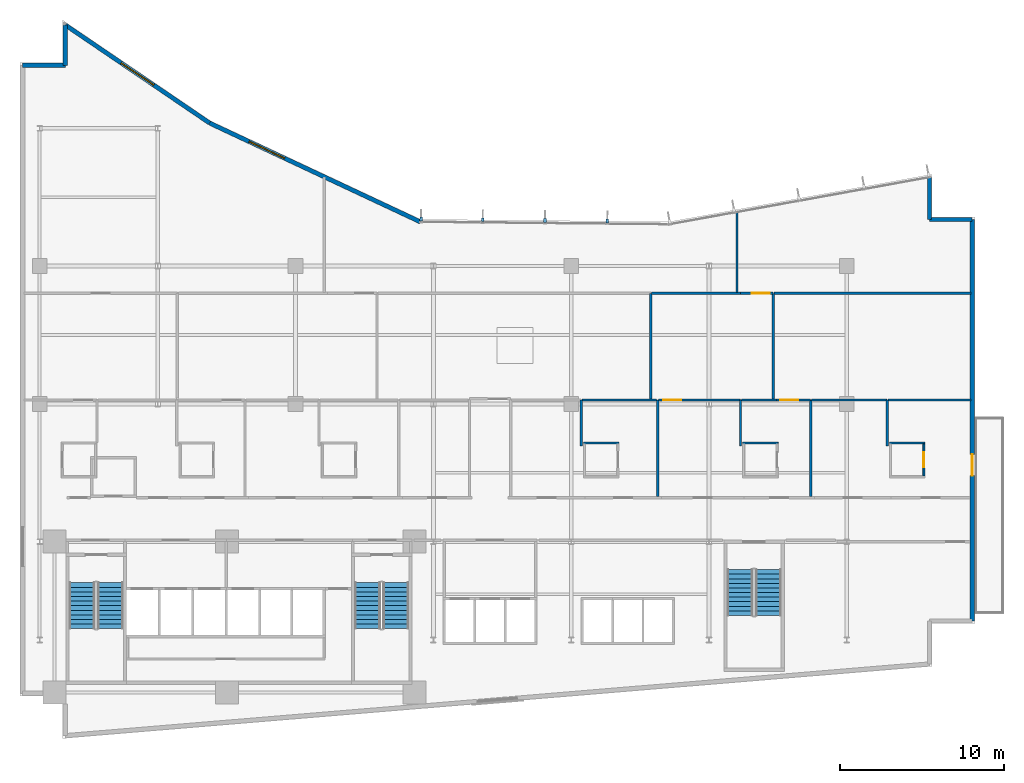
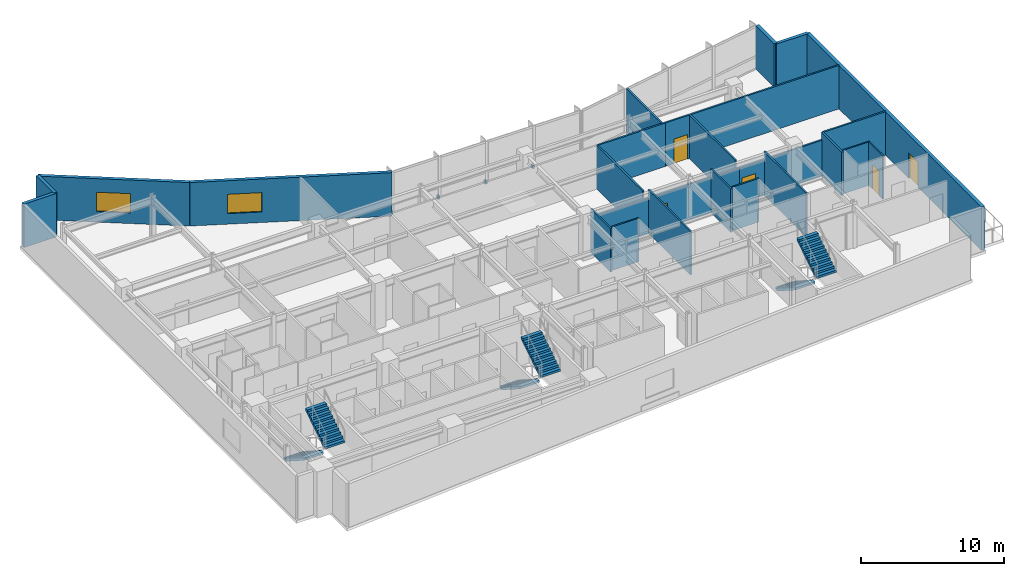
# One storey, part 13 of 19: 28 walls, 6 stair flights, 5 doors, 4 discrete accessories, 2 windows, 7 openings, 3 elements without a shape of their own.
"""IFC4 building model written with IfcOpenShell, lengths in metres."""

from ifc_helpers import new_model, si_unit, direction, frame, frame_2d, origin, origin_2d, place, context, subcontext, project, spatial, polyline, rectangle, outline, extrude, material, layer, layer_set, type_object, element, fill, aggregate, save


model = new_model("IFC4")

# Units and contexts
model_context = context("Model", 3, precision=1e-05, world=origin(), true_north=direction((0.0, 1.0)))
body_context = subcontext(model_context, "Body", "Model", "MODEL_VIEW")
ifc_project = project(units=[si_unit("LENGTHUNIT", "METRE"), si_unit("AREAUNIT", "SQUARE_METRE"), si_unit("VOLUMEUNIT", "CUBIC_METRE"), si_unit("PLANEANGLEUNIT", "RADIAN"), si_unit("MASSUNIT", "GRAM", prefix="KILO")], contexts=[model_context])

# Site, building, storey
site_placement = place(None, origin())
site = spatial("IfcSite", under=ifc_project, at=site_placement, CompositionType="ELEMENT")
building_placement = place(site_placement, origin())
building = spatial("IfcBuilding", under=site, at=building_placement, Name="Varnakote Quay Hospital", CompositionType="ELEMENT")
storey_placement = place(building_placement, frame((0.0, 0.0, 89.64990234375)))
storey = spatial("IfcBuildingStorey", under=building, at=storey_placement, Name="L22", CompositionType="ELEMENT", Elevation=89.64990234375)

# Walls
ifc_material_1 = material(Name="Moisture-resistant bathroom partition", Category="gypsum")
ifc_layer_1 = layer(ifc_material_1, 0.114990234375)
ifc_layer_set_1 = layer_set([ifc_layer_1], Name="Moisture-resistant bathroom partition")
wall_type_1 = type_object("IfcWallType", Name="WL-ENS-115", PredefinedType="PARTITIONING", material=ifc_layer_set_1)
wall_1_placement = place(storey_placement, frame((34.35498046875, 18.017578125, 0.0), z_axis=(0.0, 0.0, 1.0), x_axis=(1.0, 0.0, 0.0)))
element("IfcWall", 1, at=wall_1_placement, inside=storey, type_object=wall_type_1, Name="L22 Inpatient En-Suite Bathroom 04 N Wall", PredefinedType="PARTITIONING", context=body_context, shape_type="SweptSolid", body=[
    extrude(rectangle(XDim=2.14990234375, YDim=0.114990234375, at=frame_2d((1.074951171875, 0.0))), origin(), (0.0, 0.0, 1.0), 3.710205078125),
])
for number, where, z_axis, x_axis, name in (
    (2, (44.054931640625, 18.017578125, 0.0), (0.0, 0.0, 1.0), (1.0, 0.0, 0.0), "L22 Inpatient En-Suite Bathroom 05 N Wall"),
    (3, (53.0048828125, 18.017578125, 0.0), (0.0, 0.0, 1.0), (1.0, 0.0, 0.0), "L22 Inpatient En-Suite Bathroom 06 N Wall"),
):
    element("IfcWall", number, at=place(storey_placement, frame(where, z_axis=z_axis, x_axis=x_axis)), inside=storey, type_object=wall_type_1, Name=name, PredefinedType="PARTITIONING", context=body_context, shape_type="SweptSolid", body=[
        extrude(rectangle(XDim=2.150146484375, YDim=0.114990234375, at=frame_2d((1.0751953125, 0.0))), origin(), (0.0, 0.0, 1.0), 3.710205078125),
    ])

# Wall, opening, door
wall_2_placement = place(storey_placement, frame((55.097412109375, 16.010009765625, 0.0), z_axis=(0.0, 0.0, 1.0), x_axis=(0.0, 1.0, 0.0)))
wall_2 = element("IfcWall", 4, at=wall_2_placement, inside=storey, type_object=wall_type_1, Name="L22 Inpatient En-Suite Bathroom 06 E Wall", PredefinedType="PARTITIONING", context=body_context, shape_type="SweptSolid", body=[
    extrude(rectangle(XDim=1.949951171875, YDim=0.114990234375, at=frame_2d((0.97509765625, 0.0))), origin(), (0.0, 0.0, 1.0), 3.710205078125),
])
opening_1_placement = place(wall_2_placement, frame((0.514892578125, 0.0, 0.0)))
opening_1 = element("IfcOpeningElement", 5, at=opening_1_placement, cuts=wall_2, Name="Opening D-L22-ENS06", PredefinedType="OPENING", context=body_context, shape_type="SweptSolid", body=[
    extrude(rectangle(XDim=0.919921875, YDim=2.10009765625, at=frame_2d((0.4599609375, 1.050048828125))), frame((0.0, 0.0673828125, 0.0), z_axis=(0.0, -1.0, 0.0), x_axis=(1.0, 0.0, 0.0)), (0.0, 0.0, 1.0), 0.135009765625),
])
ifc_material_2 = material(Name="Moisture-sealed en-suite bathroom door")
door_type_1 = type_object("IfcDoorType", Name="DR-ENS-920x2100", OperationType="NOTDEFINED", PredefinedType="DOOR", material=ifc_material_2)
door_1_placement = place(opening_1_placement, origin())
door_1 = element("IfcDoor", 6, at=door_1_placement, inside=storey, type_object=door_type_1, Name="L22 Inpatient En-Suite Bathroom 06 Door", OperationType="SINGLE_SWING_RIGHT", OverallHeight=2.10009765625, OverallWidth=0.919921875, PredefinedType="DOOR", context=body_context, shape_type="SweptSolid", body=[
    extrude(rectangle(XDim=0.919921875, YDim=2.10009765625, at=frame_2d((0.4599609375, 1.050048828125))), frame((0.0, 0.02490234375, 0.0), z_axis=(0.0, -1.0, 0.0), x_axis=(1.0, 0.0, 0.0)), (0.0, 0.0, 1.0), 0.050048828125),
])
fill(opening_1, door_1)

ifc_material_3 = material(Name="Precast concrete N50 (f'c 50 MPa)", Category="concrete")
ifc_layer_2 = layer(ifc_material_3, 0.260009765625)
ifc_layer_set_2 = layer_set([ifc_layer_2], Name="Precast concrete N50 (f'c 50 MPa)")
wall_type_2 = type_object("IfcWallType", Name="WL-EXT-BRICK-260", PredefinedType="STANDARD", material=ifc_layer_set_2)
wall_3_placement = place(storey_placement, frame((58.0400390625, 7.159912109375, 0.0), z_axis=(0.0, 0.0, 1.0), x_axis=(0.0, 1.0, 0.0)))
wall_3 = element("IfcWall", 7, at=wall_3_placement, inside=storey, type_object=wall_type_2, Name="L22 Healing Terrace Portal Brick Wall", PredefinedType="STANDARD", context=body_context, shape_type="SweptSolid", body=[
    extrude(rectangle(XDim=24.47998046875, YDim=0.260009765625, at=frame_2d((12.239990234375, 0.0))), origin(), (0.0, 0.0, 1.0), 3.710205078125),
])
opening_2_placement = place(wall_3_placement, frame((8.8701171875, 0.0, 0.0)))
opening_2 = element("IfcOpeningElement", 8, at=opening_2_placement, cuts=wall_3, Name="Opening DT-L22", PredefinedType="OPENING", context=body_context, shape_type="SweptSolid", body=[
    extrude(rectangle(XDim=1.300048828125, YDim=2.14990234375, at=frame_2d((0.64990234375, 1.074951171875))), frame((0.0, 0.139892578125, 0.0), z_axis=(0.0, -1.0, 0.0), x_axis=(1.0, 0.0, 0.0)), (0.0, 0.0, 1.0), 0.280029296875),
])
ifc_material_4 = material(Name="Anodised aluminium glazed terrace door", Category="aluminium")
door_type_2 = type_object("IfcDoorType", Name="DR-EXT-TERR-1300x2150", OperationType="NOTDEFINED", PredefinedType="DOOR", material=ifc_material_4)
door_2_placement = place(opening_2_placement, origin())
door_2 = element("IfcDoor", 9, at=door_2_placement, inside=storey, type_object=door_type_2, Name="L22 Waterfront Healing Terrace Door", OperationType="SINGLE_SWING_LEFT", OverallHeight=2.14990234375, OverallWidth=1.300048828125, PredefinedType="DOOR", context=body_context, shape_type="SweptSolid", body=[
    extrude(rectangle(XDim=1.300048828125, YDim=2.14990234375, at=frame_2d((0.64990234375, 1.074951171875))), frame((0.0, 0.02490234375, 0.0), z_axis=(0.0, -1.0, 0.0), x_axis=(1.0, 0.0, 0.0)), (0.0, 0.0, 1.0), 0.050048828125),
])
fill(opening_2, door_2)

# Walls
wall_4_placement = place(storey_placement, frame((58.0400390625, 31.639892578125, 0.0), z_axis=(0.0, 0.0, 1.0), x_axis=(-1.0, 0.0, 0.0)))
element("IfcWall", 10, at=wall_4_placement, inside=storey, type_object=wall_type_2, Name="L22 Brick-Faced Precast Exterior Wall", PredefinedType="STANDARD", context=body_context, shape_type="SweptSolid", body=[
    extrude(rectangle(XDim=2.60009765625, YDim=0.260009765625, at=frame_2d((1.300048828125, 0.0))), origin(), (0.0, 0.0, 1.0), 3.710205078125),
])
wall_5_placement = place(storey_placement, frame((55.43994140625, 31.639892578125, 0.0), z_axis=(0.0, 0.0, 1.0), x_axis=(0.0, 1.0, 0.0)))
element("IfcWall", 11, at=wall_5_placement, inside=storey, type_object=wall_type_2, Name="L22 Brick-Faced Precast Exterior Wall", PredefinedType="STANDARD", context=body_context, shape_type="SweptSolid", body=[
    extrude(rectangle(XDim=2.568603515625, YDim=0.260009765625, at=frame_2d((1.2841796875, 0.0))), origin(), (0.0, 0.0, 1.0), 3.710205078125),
])

# Wall, opening, window
wall_6_placement = place(storey_placement, frame((24.40771484375, 31.4921875, 0.0), z_axis=(0.0, 0.0, 1.0), x_axis=(-0.905396522918, 0.424566998585, 0.0)))
wall_6 = element("IfcWall", 12, at=wall_6_placement, inside=storey, type_object=wall_type_2, Name="L22 Brick-Faced Precast Exterior Wall", PredefinedType="STANDARD", context=body_context, shape_type="SweptSolid", body=[
    extrude(rectangle(XDim=14.189453125, YDim=0.260009765625, at=frame_2d((7.0947265625, 0.0))), origin(), (0.0, 0.0, 1.0), 3.710205078125),
])
opening_3_placement = place(wall_6_placement, frame((9.14501953125, 0.0, 0.89990234375)))
opening_3 = element("IfcOpeningElement", 13, at=opening_3_placement, cuts=wall_6, Name="Opening WN-0103", PredefinedType="OPENING", context=body_context, shape_type="SweptSolid", body=[
    extrude(rectangle(XDim=2.39990234375, YDim=1.64990234375, at=frame_2d((1.199951171875, 0.824951171875))), frame((0.0, 0.139892578125, 0.0), z_axis=(0.0, -1.0, 0.0), x_axis=(1.0, 0.0, 0.0)), (0.0, 0.0, 1.0), 0.280029296875),
])
ifc_material_5 = material(Name="Double-glazed low-E solar glass", Category="glass")
window_type = type_object("IfcWindowType", Name="WIN-CLIN-2400x1650", PartitioningType="SINGLE_PANEL", PredefinedType="WINDOW", material=ifc_material_5)
window_1_placement = place(opening_3_placement, origin())
window_1 = element("IfcWindow", 14, at=window_1_placement, inside=storey, type_object=window_type, Name="L22 Solar-Control Clinical Window", OverallHeight=1.64990234375, OverallWidth=2.39990234375, PartitioningType="SINGLE_PANEL", PredefinedType="WINDOW", context=body_context, shape_type="SweptSolid", body=[
    extrude(rectangle(XDim=2.39990234375, YDim=1.64990234375, at=frame_2d((1.199951171875, 0.824951171875))), frame((0.0, 0.030029296875, 0.0), z_axis=(0.0, -1.0, 0.0), x_axis=(1.0, 0.0, 0.0)), (0.0, 0.0, 1.0), 0.06005859375),
])
fill(opening_3, window_1)

wall_7_placement = place(storey_placement, frame((11.560546875, 37.5166015625, 0.0), z_axis=(0.0, 0.0, 1.0), x_axis=(-0.827064743936, 0.562106670782, 0.0)))
wall_7 = element("IfcWall", 15, at=wall_7_placement, inside=storey, type_object=wall_type_2, Name="L22 Brick-Faced Precast Exterior Wall", PredefinedType="STANDARD", context=body_context, shape_type="SweptSolid", body=[
    extrude(rectangle(XDim=10.640625, YDim=0.260009765625, at=frame_2d((5.3203125, 0.0))), origin(), (0.0, 0.0, 1.0), 3.710205078125),
])
opening_4_placement = place(wall_7_placement, frame((4.120361328125, 0.0, 0.89990234375)))
opening_4 = element("IfcOpeningElement", 16, at=opening_4_placement, cuts=wall_7, Name="Opening WN-0104", PredefinedType="OPENING", context=body_context, shape_type="SweptSolid", body=[
    extrude(rectangle(XDim=2.39990234375, YDim=1.64990234375, at=frame_2d((1.199951171875, 0.824951171875))), frame((0.0, 0.139892578125, 0.0), z_axis=(0.0, -1.0, 0.0), x_axis=(1.0, 0.0, 0.0)), (0.0, 0.0, 1.0), 0.280029296875),
])
window_2_placement = place(opening_4_placement, origin())
window_2 = element("IfcWindow", 17, at=window_2_placement, inside=storey, type_object=window_type, Name="L22 Solar-Control Clinical Window", OverallHeight=1.64990234375, OverallWidth=2.39990234375, PartitioningType="SINGLE_PANEL", PredefinedType="WINDOW", context=body_context, shape_type="SweptSolid", body=[
    extrude(rectangle(XDim=2.39990234375, YDim=1.64990234375, at=frame_2d((1.199951171875, 0.824951171875))), frame((0.0, 0.030029296875, 0.0), z_axis=(0.0, -1.0, 0.0), x_axis=(1.0, 0.0, 0.0)), (0.0, 0.0, 1.0), 0.06005859375),
])
fill(opening_4, window_2)

# Walls
wall_8_placement = place(storey_placement, frame((2.760009765625, 43.497802734375, 0.0), z_axis=(0.0, 0.0, 1.0), x_axis=(0.0, -1.0, 0.0)))
element("IfcWall", 18, at=wall_8_placement, inside=storey, type_object=wall_type_2, Name="L22 Brick-Faced Precast Exterior Wall", PredefinedType="STANDARD", context=body_context, shape_type="SweptSolid", body=[
    extrude(rectangle(XDim=2.457763671875, YDim=0.260009765625, at=frame_2d((1.22900390625, 0.0))), origin(), (0.0, 0.0, 1.0), 3.710205078125),
])
wall_9_placement = place(storey_placement, frame((2.760009765625, 41.0400390625, 0.0), z_axis=(0.0, 0.0, 1.0), x_axis=(-1.0, 0.0, 0.0)))
element("IfcWall", 19, at=wall_9_placement, inside=storey, type_object=wall_type_2, Name="L22 Brick-Faced Precast Exterior Wall", PredefinedType="STANDARD", context=body_context, shape_type="SweptSolid", body=[
    extrude(rectangle(XDim=2.60009765625, YDim=0.260009765625, at=frame_2d((1.300048828125, 0.0))), origin(), (0.0, 0.0, 1.0), 3.710205078125),
])
ifc_material_6 = material(Name="Smoke-proof clinical partition", Category="gypsum")
ifc_layer_3 = layer(ifc_material_6, 0.135009765625)
ifc_layer_set_3 = layer_set([ifc_layer_3], Name="Smoke-proof clinical partition")
wall_type_3 = type_object("IfcWallType", Name="WL-SMOKE-135", PredefinedType="PARTITIONING", material=ifc_layer_set_3)
wall_10_placement = place(storey_placement, frame((34.2099609375, 17.83251953125, 0.0), z_axis=(0.0, 0.0, 1.0), x_axis=(0.0, 1.0, 0.0)))
element("IfcWall", 20, at=wall_10_placement, inside=storey, type_object=wall_type_3, Name="L22 Clinical Interior Partition", PredefinedType="PARTITIONING", context=body_context, shape_type="SweptSolid", body=[
    extrude(rectangle(XDim=2.807373046875, YDim=0.135009765625, at=frame_2d((1.40380859375, 0.0))), origin(), (0.0, 0.0, 1.0), 3.710205078125),
])
wall_11_placement = place(storey_placement, frame((38.8701171875, 14.760009765625, 0.0), z_axis=(0.0, 0.0, 1.0), x_axis=(0.0, 1.0, 0.0)))
element("IfcWall", 21, at=wall_11_placement, inside=storey, type_object=wall_type_3, Name="L22 Clinical Interior Partition", PredefinedType="PARTITIONING", context=body_context, shape_type="SweptSolid", body=[
    extrude(rectangle(XDim=5.8798828125, YDim=0.135009765625, at=frame_2d((2.93994140625, 0.0))), origin(), (0.0, 0.0, 1.0), 3.710205078125),
])
wall_12_placement = place(storey_placement, frame((38.8125, 20.639892578125, 0.0), z_axis=(0.0, 0.0, 1.0), x_axis=(-1.0, 0.0, 0.0)))
element("IfcWall", 22, at=wall_12_placement, inside=storey, type_object=wall_type_3, Name="L22 Clinical Interior Partition", PredefinedType="PARTITIONING", context=body_context, shape_type="SweptSolid", body=[
    extrude(rectangle(XDim=4.544921875, YDim=0.135009765625, at=frame_2d((2.2724609375, 0.0))), origin(), (0.0, 0.0, 1.0), 3.072998046875),
])
wall_13_placement = place(storey_placement, frame((43.909912109375, 17.83251953125, 0.0), z_axis=(0.0, 0.0, 1.0), x_axis=(0.0, 1.0, 0.0)))
element("IfcWall", 23, at=wall_13_placement, inside=storey, type_object=wall_type_3, Name="L22 Clinical Interior Partition", PredefinedType="PARTITIONING", context=body_context, shape_type="SweptSolid", body=[
    extrude(rectangle(XDim=2.807373046875, YDim=0.135009765625, at=frame_2d((1.40380859375, 0.0))), origin(), (0.0, 0.0, 1.0), 3.710205078125),
])

# Wall, opening, door
wall_14_placement = place(storey_placement, frame((43.909912109375, 20.639892578125, 0.0), z_axis=(0.0, 0.0, 1.0), x_axis=(-1.0, 0.0, 0.0)))
wall_14 = element("IfcWall", 24, at=wall_14_placement, inside=storey, type_object=wall_type_3, Name="L22 Clinical Interior Partition", PredefinedType="PARTITIONING", context=body_context, shape_type="SweptSolid", body=[
    extrude(rectangle(XDim=4.982421875, YDim=0.135009765625, at=frame_2d((2.4912109375, 0.0))), origin(), (0.0, 0.0, 1.0), 3.072998046875),
])
opening_5_placement = place(wall_14_placement, frame((3.595458984375, 0.0, 0.0)))
opening_5 = element("IfcOpeningElement", 25, at=opening_5_placement, cuts=wall_14, Name="Opening D-L22-DLNG", PredefinedType="OPENING", context=body_context, shape_type="SweptSolid", body=[
    extrude(rectangle(XDim=1.10009765625, YDim=2.10009765625, at=frame_2d((0.550048828125, 1.050048828125))), frame((0.0, 0.077392578125, 0.0), z_axis=(0.0, -1.0, 0.0), x_axis=(1.0, 0.0, 0.0)), (0.0, 0.0, 1.0), 0.155029296875),
])
ifc_material_7 = material(Name="Acoustic timber clinical consult door", Category="wood")
door_type_3 = type_object("IfcDoorType", Name="DR-CLIN-FD30S-1100x2100", OperationType="NOTDEFINED", PredefinedType="DOOR", material=ifc_material_7)
door_3_placement = place(opening_5_placement, origin())
door_3 = element("IfcDoor", 26, at=door_3_placement, inside=storey, type_object=door_type_3, Name="L22 Waterfront Patient & Family Dayroom Door", OperationType="SINGLE_SWING_LEFT", OverallHeight=2.10009765625, OverallWidth=1.10009765625, PredefinedType="DOOR", context=body_context, shape_type="SweptSolid", body=[
    extrude(rectangle(XDim=1.10009765625, YDim=2.10009765625, at=frame_2d((0.550048828125, 1.050048828125))), frame((0.0, 0.02490234375, 0.0), z_axis=(0.0, -1.0, 0.0), x_axis=(1.0, 0.0, 0.0)), (0.0, 0.0, 1.0), 0.050048828125),
])
fill(opening_5, door_3)

# Walls
wall_15_placement = place(storey_placement, frame((48.199951171875, 14.760009765625, 0.0), z_axis=(0.0, 0.0, 1.0), x_axis=(0.0, 1.0, 0.0)))
element("IfcWall", 27, at=wall_15_placement, inside=storey, type_object=wall_type_3, Name="L22 Clinical Interior Partition", PredefinedType="PARTITIONING", context=body_context, shape_type="SweptSolid", body=[
    extrude(rectangle(XDim=5.8798828125, YDim=0.135009765625, at=frame_2d((2.93994140625, 0.0))), origin(), (0.0, 0.0, 1.0), 3.710205078125),
])
wall_16_placement = place(storey_placement, frame((46.117431640625, 20.639892578125, 0.0), z_axis=(0.0, 0.0, 1.0), x_axis=(-1.0, 0.0, 0.0)))
element("IfcWall", 28, at=wall_16_placement, inside=storey, type_object=wall_type_3, Name="L22 Clinical Interior Partition", PredefinedType="PARTITIONING", context=body_context, shape_type="SweptSolid", body=[
    extrude(rectangle(XDim=2.14990234375, YDim=0.135009765625, at=frame_2d((1.074951171875, 0.0))), origin(), (0.0, 0.0, 1.0), 3.072998046875),
])

# Wall, opening, door
wall_17_placement = place(storey_placement, frame((48.199951171875, 20.639892578125, 0.0), z_axis=(0.0, 0.0, 1.0), x_axis=(-1.0, 0.0, 0.0)))
wall_17 = element("IfcWall", 29, at=wall_17_placement, inside=storey, type_object=wall_type_3, Name="L22 Clinical Interior Partition", PredefinedType="PARTITIONING", context=body_context, shape_type="SweptSolid", body=[
    extrude(rectangle(XDim=2.08056640625, YDim=0.135009765625, at=frame_2d((1.040283203125, 0.0))), origin(), (0.0, 0.0, 1.0), 3.072998046875),
])
opening_6_placement = place(wall_17_placement, frame((0.76611328125, 0.0, 0.0)))
opening_6 = element("IfcOpeningElement", 30, at=opening_6_placement, cuts=wall_17, Name="Opening D-L22-WPNT", PredefinedType="OPENING", context=body_context, shape_type="SweptSolid", body=[
    extrude(rectangle(XDim=1.10009765625, YDim=2.10009765625, at=frame_2d((0.550048828125, 1.050048828125))), frame((0.0, 0.077392578125, 0.0), z_axis=(0.0, -1.0, 0.0), x_axis=(1.0, 0.0, 0.0)), (0.0, 0.0, 1.0), 0.155029296875),
])
door_4_placement = place(opening_6_placement, origin())
door_4 = element("IfcDoor", 31, at=door_4_placement, inside=storey, type_object=door_type_3, Name="L22 Ward Clinical Nutrition Pantry Door", OperationType="SINGLE_SWING_RIGHT", OverallHeight=2.10009765625, OverallWidth=1.10009765625, PredefinedType="DOOR", context=body_context, shape_type="SweptSolid", body=[
    extrude(rectangle(XDim=1.10009765625, YDim=2.10009765625, at=frame_2d((0.550048828125, 1.050048828125))), frame((0.0, 0.02490234375, 0.0), z_axis=(0.0, -1.0, 0.0), x_axis=(1.0, 0.0, 0.0)), (0.0, 0.0, 1.0), 0.050048828125),
])
fill(opening_6, door_4)

# Walls
wall_18_placement = place(storey_placement, frame((52.860107421875, 17.83251953125, 0.0), z_axis=(0.0, 0.0, 1.0), x_axis=(0.0, 1.0, 0.0)))
element("IfcWall", 32, at=wall_18_placement, inside=storey, type_object=wall_type_3, Name="L22 Clinical Interior Partition", PredefinedType="PARTITIONING", context=body_context, shape_type="SweptSolid", body=[
    extrude(rectangle(XDim=2.807373046875, YDim=0.135009765625, at=frame_2d((1.40380859375, 0.0))), origin(), (0.0, 0.0, 1.0), 3.710205078125),
])
wall_19_placement = place(storey_placement, frame((52.860107421875, 20.639892578125, 0.0), z_axis=(0.0, 0.0, 1.0), x_axis=(-1.0, 0.0, 0.0)))
element("IfcWall", 33, at=wall_19_placement, inside=storey, type_object=wall_type_3, Name="L22 Clinical Interior Partition", PredefinedType="PARTITIONING", context=body_context, shape_type="SweptSolid", body=[
    extrude(rectangle(XDim=4.6025390625, YDim=0.135009765625, at=frame_2d((2.30126953125, 0.0))), origin(), (0.0, 0.0, 1.0), 3.072998046875),
])
wall_20_placement = place(storey_placement, frame((57.9599609375, 20.639892578125, 0.0), z_axis=(0.0, 0.0, 1.0), x_axis=(-1.0, 0.0, 0.0)))
element("IfcWall", 34, at=wall_20_placement, inside=storey, type_object=wall_type_3, Name="L22 Clinical Interior Partition", PredefinedType="PARTITIONING", context=body_context, shape_type="SweptSolid", body=[
    extrude(rectangle(XDim=5.04248046875, YDim=0.135009765625, at=frame_2d((2.521240234375, 0.0))), origin(), (0.0, 0.0, 1.0), 3.710205078125),
])
for number, where, z_axis, x_axis, name in (
    (35, (38.449951171875, 20.697509765625, 0.0), (0.0, 0.0, 1.0), (0.0, 1.0, 0.0), "L22 Clinical Interior Partition"),
    (36, (45.909912109375, 20.697509765625, 0.0), (0.0, 0.0, 1.0), (0.0, 1.0, 0.0), "L22 Clinical Interior Partition"),
):
    element("IfcWall", number, at=place(storey_placement, frame(where, z_axis=z_axis, x_axis=x_axis)), inside=storey, type_object=wall_type_3, Name=name, PredefinedType="PARTITIONING", context=body_context, shape_type="SweptSolid", body=[
        extrude(rectangle(XDim=6.4423828125, YDim=0.135009765625, at=frame_2d((3.22119140625, 0.0))), origin(), (0.0, 0.0, 1.0), 3.710205078125),
    ])
wall_21_placement = place(storey_placement, frame((43.91748046875, 27.139892578125, 0.0), z_axis=(0.0, 0.0, 1.0), x_axis=(-1.0, 0.0, 0.0)))
element("IfcWall", 37, at=wall_21_placement, inside=storey, type_object=wall_type_3, Name="L22 Clinical Interior Partition", PredefinedType="PARTITIONING", context=body_context, shape_type="SweptSolid", body=[
    extrude(rectangle(XDim=5.409912109375, YDim=0.135009765625, at=frame_2d((2.705078125, 0.0))), origin(), (0.0, 0.0, 1.0), 3.710205078125),
])

# Wall, opening, door
wall_22_placement = place(storey_placement, frame((45.909912109375, 27.139892578125, 0.0), z_axis=(0.0, 0.0, 1.0), x_axis=(-1.0, 0.0, 0.0)))
wall_22 = element("IfcWall", 38, at=wall_22_placement, inside=storey, type_object=wall_type_3, Name="L22 Clinical Interior Partition", PredefinedType="PARTITIONING", context=body_context, shape_type="SweptSolid", body=[
    extrude(rectangle(XDim=1.990478515625, YDim=0.135009765625, at=frame_2d((0.9951171875, 0.0))), origin(), (0.0, 0.0, 1.0), 3.710205078125),
])
opening_7_placement = place(wall_22_placement, frame((0.21240234375, 0.0, 0.0)))
opening_7 = element("IfcOpeningElement", 39, at=opening_7_placement, cuts=wall_22, Name="Opening D-L22-MD12", PredefinedType="OPENING", context=body_context, shape_type="SweptSolid", body=[
    extrude(rectangle(XDim=1.10009765625, YDim=2.10009765625, at=frame_2d((0.550048828125, 1.050048828125))), frame((0.0, 0.077392578125, 0.0), z_axis=(0.0, -1.0, 0.0), x_axis=(1.0, 0.0, 0.0)), (0.0, 0.0, 1.0), 0.155029296875),
])
door_5_placement = place(opening_7_placement, origin())
door_5 = element("IfcDoor", 40, at=door_5_placement, inside=storey, type_object=door_type_3, Name="L22 Senior Intensivist Office Door", OperationType="SINGLE_SWING_LEFT", OverallHeight=2.10009765625, OverallWidth=1.10009765625, PredefinedType="DOOR", context=body_context, shape_type="SweptSolid", body=[
    extrude(rectangle(XDim=1.10009765625, YDim=2.10009765625, at=frame_2d((0.550048828125, 1.050048828125))), frame((0.0, 0.02490234375, 0.0), z_axis=(0.0, -1.0, 0.0), x_axis=(1.0, 0.0, 0.0)), (0.0, 0.0, 1.0), 0.050048828125),
])
fill(opening_7, door_5)

# Walls
wall_23_placement = place(storey_placement, frame((57.9599609375, 27.139892578125, 0.0), z_axis=(0.0, 0.0, 1.0), x_axis=(-1.0, 0.0, 0.0)))
element("IfcWall", 41, at=wall_23_placement, inside=storey, type_object=wall_type_3, Name="L22 Clinical Interior Partition", PredefinedType="PARTITIONING", context=body_context, shape_type="SweptSolid", body=[
    extrude(rectangle(XDim=11.992431640625, YDim=0.135009765625, at=frame_2d((5.99609375, 0.0))), origin(), (0.0, 0.0, 1.0), 3.710205078125),
])
wall_24_placement = place(storey_placement, frame((43.7099609375, 27.197509765625, 0.0), z_axis=(0.0, 0.0, 1.0), x_axis=(0.0, 1.0, 0.0)))
element("IfcWall", 42, at=wall_24_placement, inside=storey, type_object=wall_type_3, Name="L22 Clinical Interior Partition", PredefinedType="PARTITIONING", context=body_context, shape_type="SweptSolid", body=[
    extrude(rectangle(XDim=4.890869140625, YDim=0.135009765625, at=frame_2d((2.4453125, 0.0))), origin(), (0.0, 0.0, 1.0), 3.710205078125),
])

# Stair, stair flights
ifc_material_8 = material(Name="Concrete N40 (f'c 40 MPa)", Category="concrete")
stair_type = type_object("IfcStairType", Name="STR-CORE-1580", PredefinedType="HALF_TURN_STAIR", material=ifc_material_8)
stair_1_placement = place(storey_placement, origin())
stair_1 = element("IfcStair", 43, at=stair_1_placement, inside=storey, type_object=stair_type, Name="L22 Fire-Isolated Exit Stair ST-01", PredefinedType="HALF_TURN_STAIR")
ifc_material_9 = material(Name="Concrete N40 (f'c 40 MPa)", Category="concrete")
ifc_layer_4 = layer(ifc_material_9, 0.159912109375)
ifc_layer_set_4 = layer_set([ifc_layer_4], Name="Concrete N40 (f'c 40 MPa)")
stair_flight_type = type_object("IfcStairFlightType", Name="FLT-CORE-1580", PredefinedType="STRAIGHT", material=ifc_layer_set_4)
stair_flight_1_placement = place(storey_placement, frame((3.7900390625, 9.5, 0.0), z_axis=(0.0, 0.0, 1.0), x_axis=(0.0, -1.0, 0.0)))
stair_flight_1 = element("IfcStairFlight", 44, at=stair_flight_1_placement, type_object=stair_flight_type, Name="ST-01 flight 1", NumberOfRisers=11, NumberOfTreads=10, PredefinedType="STRAIGHT", RiserHeight=0.179545455, TreadLength=0.28, context=body_context, shape_type="SweptSolid", body=[
    extrude(outline(polyline([(0.0, 0.0), (0.0, 0.179443359375), (0.280029296875, 0.179443359375), (0.280029296875, 0.359130859375), (0.56005859375, 0.359130859375), (0.56005859375, 0.53857421875), (0.840087890625, 0.53857421875), (0.840087890625, 0.71826171875), (1.1201171875, 0.71826171875), (1.1201171875, 0.897705078125), (1.39990234375, 0.897705078125), (1.39990234375, 1.077392578125), (1.679931640625, 1.077392578125), (1.679931640625, 1.2568359375), (1.9599609375, 1.2568359375), (1.9599609375, 1.436279296875), (2.239990234375, 1.436279296875), (2.239990234375, 1.615966796875), (2.52001953125, 1.615966796875), (2.52001953125, 1.79541015625), (2.800048828125, 1.79541015625), (2.800048828125, 1.97509765625), (2.800048828125, 1.60546875), (0.296142578125, 0.0), (0.0, 0.0)])), frame((0.0, 0.7900390625, 0.0), z_axis=(0.0, -1.0, 0.0), x_axis=(1.0, 0.0, 0.0)), (0.0, 0.0, 1.0), 1.580078125),
])
stair_flight_2_placement = place(storey_placement, frame((5.510009765625, 6.699951171875, 1.97509765625), z_axis=(0.0, 0.0, 1.0), x_axis=(0.0, 1.0, 0.0)))
stair_flight_2 = element("IfcStairFlight", 45, at=stair_flight_2_placement, type_object=stair_flight_type, Name="ST-01 flight 2", NumberOfRisers=11, NumberOfTreads=10, PredefinedType="STRAIGHT", RiserHeight=0.179545455, TreadLength=0.28, context=body_context, shape_type="SweptSolid", body=[
    extrude(outline(polyline([(0.0, 0.0), (0.0, 0.179443359375), (0.280029296875, 0.179443359375), (0.280029296875, 0.359130859375), (0.56005859375, 0.359130859375), (0.56005859375, 0.53857421875), (0.840087890625, 0.53857421875), (0.840087890625, 0.71826171875), (1.1201171875, 0.71826171875), (1.1201171875, 0.897705078125), (1.39990234375, 0.897705078125), (1.39990234375, 1.077392578125), (1.679931640625, 1.077392578125), (1.679931640625, 1.2568359375), (1.9599609375, 1.2568359375), (1.9599609375, 1.436279296875), (2.239990234375, 1.436279296875), (2.239990234375, 1.615966796875), (2.52001953125, 1.615966796875), (2.52001953125, 1.79541015625), (2.800048828125, 1.79541015625), (2.800048828125, 1.97509765625), (2.800048828125, 1.60546875), (0.296142578125, 0.0), (0.0, 0.0)])), frame((0.0, 0.7900390625, 0.0), z_axis=(0.0, -1.0, 0.0), x_axis=(1.0, 0.0, 0.0)), (0.0, 0.0, 1.0), 1.580078125),
])
aggregate(stair_1, [stair_flight_1, stair_flight_2])

stair_2_placement = place(storey_placement, origin())
stair_2 = element("IfcStair", 46, at=stair_2_placement, inside=storey, type_object=stair_type, Name="L22 Fire-Isolated Exit Stair ST-02", PredefinedType="HALF_TURN_STAIR")
stair_flight_3_placement = place(storey_placement, frame((21.18994140625, 9.5, 0.0), z_axis=(0.0, 0.0, 1.0), x_axis=(0.0, -1.0, 0.0)))
stair_flight_3 = element("IfcStairFlight", 47, at=stair_flight_3_placement, type_object=stair_flight_type, Name="ST-02 flight 1", NumberOfRisers=11, NumberOfTreads=10, PredefinedType="STRAIGHT", RiserHeight=0.179545455, TreadLength=0.28, context=body_context, shape_type="SweptSolid", body=[
    extrude(outline(polyline([(0.0, 0.0), (0.0, 0.179443359375), (0.280029296875, 0.179443359375), (0.280029296875, 0.359130859375), (0.56005859375, 0.359130859375), (0.56005859375, 0.53857421875), (0.840087890625, 0.53857421875), (0.840087890625, 0.71826171875), (1.1201171875, 0.71826171875), (1.1201171875, 0.897705078125), (1.39990234375, 0.897705078125), (1.39990234375, 1.077392578125), (1.679931640625, 1.077392578125), (1.679931640625, 1.2568359375), (1.9599609375, 1.2568359375), (1.9599609375, 1.436279296875), (2.239990234375, 1.436279296875), (2.239990234375, 1.615966796875), (2.52001953125, 1.615966796875), (2.52001953125, 1.79541015625), (2.800048828125, 1.79541015625), (2.800048828125, 1.97509765625), (2.800048828125, 1.60546875), (0.296142578125, 0.0), (0.0, 0.0)])), frame((0.0, 0.7900390625, 0.0), z_axis=(0.0, -1.0, 0.0), x_axis=(1.0, 0.0, 0.0)), (0.0, 0.0, 1.0), 1.580078125),
])
stair_flight_4_placement = place(storey_placement, frame((22.909912109375, 6.699951171875, 1.97509765625), z_axis=(0.0, 0.0, 1.0), x_axis=(0.0, 1.0, 0.0)))
stair_flight_4 = element("IfcStairFlight", 48, at=stair_flight_4_placement, type_object=stair_flight_type, Name="ST-02 flight 2", NumberOfRisers=11, NumberOfTreads=10, PredefinedType="STRAIGHT", RiserHeight=0.179545455, TreadLength=0.28, context=body_context, shape_type="SweptSolid", body=[
    extrude(outline(polyline([(0.0, 0.0), (0.0, 0.179443359375), (0.280029296875, 0.179443359375), (0.280029296875, 0.359130859375), (0.56005859375, 0.359130859375), (0.56005859375, 0.53857421875), (0.840087890625, 0.53857421875), (0.840087890625, 0.71826171875), (1.1201171875, 0.71826171875), (1.1201171875, 0.897705078125), (1.39990234375, 0.897705078125), (1.39990234375, 1.077392578125), (1.679931640625, 1.077392578125), (1.679931640625, 1.2568359375), (1.9599609375, 1.2568359375), (1.9599609375, 1.436279296875), (2.239990234375, 1.436279296875), (2.239990234375, 1.615966796875), (2.52001953125, 1.615966796875), (2.52001953125, 1.79541015625), (2.800048828125, 1.79541015625), (2.800048828125, 1.97509765625), (2.800048828125, 1.60546875), (0.296142578125, 0.0), (0.0, 0.0)])), frame((0.0, 0.7900390625, 0.0), z_axis=(0.0, -1.0, 0.0), x_axis=(1.0, 0.0, 0.0)), (0.0, 0.0, 1.0), 1.580078125),
])
aggregate(stair_2, [stair_flight_3, stair_flight_4])

stair_3_placement = place(storey_placement, origin())
stair_3 = element("IfcStair", 49, at=stair_3_placement, inside=storey, type_object=stair_type, Name="L22 Fire-Isolated Exit Stair ST-03", PredefinedType="HALF_TURN_STAIR")
stair_flight_5_placement = place(storey_placement, frame((43.889892578125, 10.300048828125, 0.0), z_axis=(0.0, 0.0, 1.0), x_axis=(0.0, -1.0, 0.0)))
stair_flight_5 = element("IfcStairFlight", 50, at=stair_flight_5_placement, type_object=stair_flight_type, Name="ST-03 flight 1", NumberOfRisers=11, NumberOfTreads=10, PredefinedType="STRAIGHT", RiserHeight=0.179545455, TreadLength=0.28, context=body_context, shape_type="SweptSolid", body=[
    extrude(outline(polyline([(0.0, 0.0), (0.0, 0.179443359375), (0.280029296875, 0.179443359375), (0.280029296875, 0.359130859375), (0.56005859375, 0.359130859375), (0.56005859375, 0.53857421875), (0.840087890625, 0.53857421875), (0.840087890625, 0.71826171875), (1.1201171875, 0.71826171875), (1.1201171875, 0.897705078125), (1.39990234375, 0.897705078125), (1.39990234375, 1.077392578125), (1.679931640625, 1.077392578125), (1.679931640625, 1.2568359375), (1.9599609375, 1.2568359375), (1.9599609375, 1.436279296875), (2.239990234375, 1.436279296875), (2.239990234375, 1.615966796875), (2.52001953125, 1.615966796875), (2.52001953125, 1.79541015625), (2.800048828125, 1.79541015625), (2.800048828125, 1.97509765625), (2.800048828125, 1.60546875), (0.296142578125, 0.0), (0.0, 0.0)])), frame((0.0, 0.7900390625, 0.0), z_axis=(0.0, -1.0, 0.0), x_axis=(1.0, 0.0, 0.0)), (0.0, 0.0, 1.0), 1.580078125),
])
stair_flight_6_placement = place(storey_placement, frame((45.610107421875, 7.5, 1.97509765625), z_axis=(0.0, 0.0, 1.0), x_axis=(0.0, 1.0, 0.0)))
stair_flight_6 = element("IfcStairFlight", 51, at=stair_flight_6_placement, type_object=stair_flight_type, Name="ST-03 flight 2", NumberOfRisers=11, NumberOfTreads=10, PredefinedType="STRAIGHT", RiserHeight=0.179545455, TreadLength=0.28, context=body_context, shape_type="SweptSolid", body=[
    extrude(outline(polyline([(0.0, 0.0), (0.0, 0.179443359375), (0.280029296875, 0.179443359375), (0.280029296875, 0.359130859375), (0.56005859375, 0.359130859375), (0.56005859375, 0.53857421875), (0.840087890625, 0.53857421875), (0.840087890625, 0.71826171875), (1.1201171875, 0.71826171875), (1.1201171875, 0.897705078125), (1.39990234375, 0.897705078125), (1.39990234375, 1.077392578125), (1.679931640625, 1.077392578125), (1.679931640625, 1.2568359375), (1.9599609375, 1.2568359375), (1.9599609375, 1.436279296875), (2.239990234375, 1.436279296875), (2.239990234375, 1.615966796875), (2.52001953125, 1.615966796875), (2.52001953125, 1.79541015625), (2.800048828125, 1.79541015625), (2.800048828125, 1.97509765625), (2.800048828125, 1.60546875), (0.296142578125, 0.0), (0.0, 0.0)])), frame((0.0, 0.7900390625, 0.0), z_axis=(0.0, -1.0, 0.0), x_axis=(1.0, 0.0, 0.0)), (0.0, 0.0, 1.0), 1.580078125),
])
aggregate(stair_3, [stair_flight_5, stair_flight_6])

# Discrete accessories
ifc_material_10 = material(Name="Anodised aluminium 6063-T6 Bronze", Category="aluminium")
discrete_accessory_type = type_object("IfcDiscreteAccessoryType", Name="ACC-FIN-BRACKET-180", PredefinedType="BRACKET", material=ifc_material_10)
for number, where, z_axis, x_axis, name in (
    (52, (35.7958984375, 31.551025390625, 0.0), (0.0, 0.0, 1.0), (-0.999952236369, 0.009773688199, 0.0), "L22 Curtain Wall Fin Fixing Bracket"),
    (53, (32.000244140625, 31.588134765625, 0.0), (0.0, 0.0, 1.0), (-0.999952236369, 0.009773688199, 0.0), "L22 Curtain Wall Fin Fixing Bracket"),
    (54, (28.204833984375, 31.625244140625, 0.0), (0.0, 0.0, 1.0), (-0.999952236369, 0.009773688199, 0.0), "L22 Curtain Wall Fin Fixing Bracket"),
    (55, (24.44677734375, 31.661865234375, 0.0), (0.0, 0.0, 1.0), (-0.999952236369, 0.009773688199, 0.0), "L22 Curtain Wall Fin Fixing Bracket"),
):
    element("IfcDiscreteAccessory", number, at=place(storey_placement, frame(where, z_axis=z_axis, x_axis=x_axis)), inside=storey, type_object=discrete_accessory_type, Name=name, PredefinedType="BRACKET", context=body_context, shape_type="SweptSolid", body=[
        extrude(rectangle(XDim=0.159912109375, YDim=0.239990234375, at=origin_2d()), origin(), (0.0, 0.0, 1.0), 0.280029296875),
    ])

save(model, "model.ifc")
